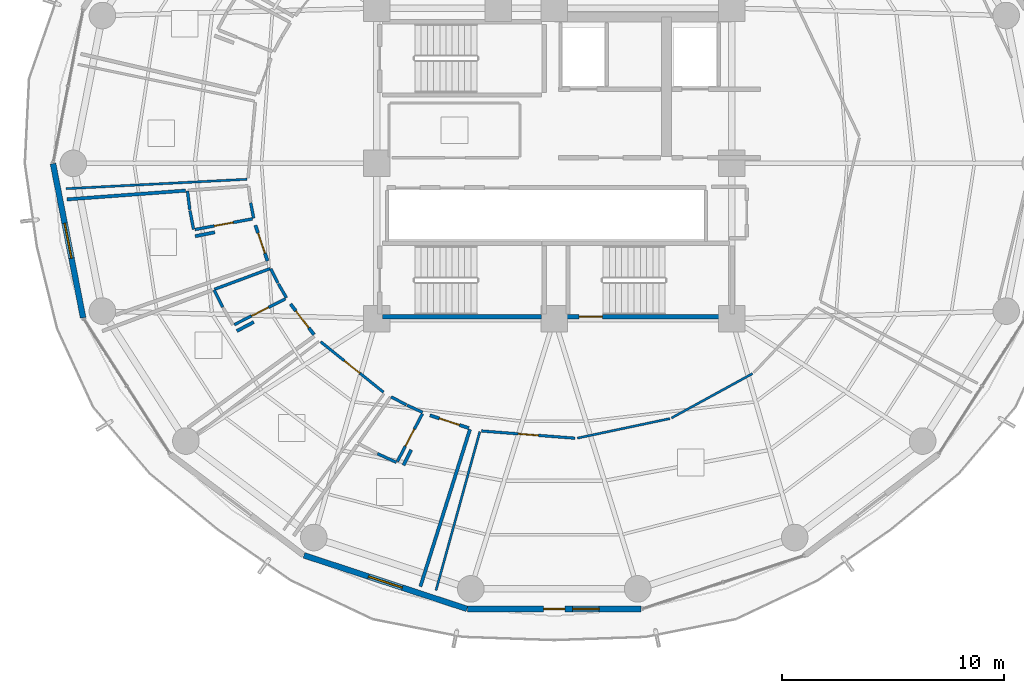
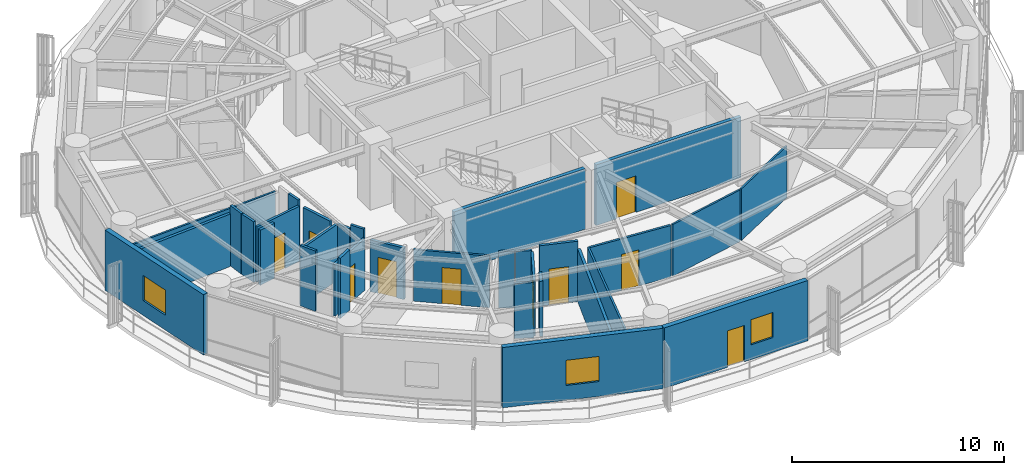
# One storey, part 21 of 28: 32 walls, 10 doors, 3 windows, 13 openings.
"""IFC4 building model written with IfcOpenShell, lengths in metres."""

from ifc_helpers import new_model, si_unit, direction, frame, frame_2d, origin, place, context, subcontext, project, spatial, rectangle, extrude, material, layer, layer_set, type_object, element, fill, save


model = new_model("IFC4")

# Units and contexts
model_context = context("Model", 3, precision=1e-05, world=origin(), true_north=direction((0.0, 1.0)))
body_context = subcontext(model_context, "Body", "Model", "MODEL_VIEW")
ifc_project = project(units=[si_unit("LENGTHUNIT", "METRE"), si_unit("AREAUNIT", "SQUARE_METRE"), si_unit("VOLUMEUNIT", "CUBIC_METRE"), si_unit("PLANEANGLEUNIT", "RADIAN"), si_unit("MASSUNIT", "GRAM", prefix="KILO")], contexts=[model_context])

# Site, building, storey
site_placement = place(None, origin())
site = spatial("IfcSite", under=ifc_project, at=site_placement, CompositionType="ELEMENT")
building_placement = place(site_placement, origin())
building = spatial("IfcBuilding", under=site, at=building_placement, Name="Kelanora Arch Commons", CompositionType="ELEMENT")
storey_placement = place(building_placement, frame((0.0, 0.0, 139.35009765625)))
storey = spatial("IfcBuildingStorey", under=building, at=storey_placement, Name="L35", CompositionType="ELEMENT", Elevation=139.35009765625)

# Wall, opening, door
ifc_material_1 = material(Name="Autoclaved aerated concrete blockwork with fire plaster", Category="masonry")
ifc_layer_1 = layer(ifc_material_1, 0.14990234375)
ifc_layer_set_1 = layer_set([ifc_layer_1], Name="Autoclaved aerated concrete blockwork with fire plaster")
wall_type_1 = type_object("IfcWallType", Name="W-COMP-150", PredefinedType="PARTITIONING", material=ifc_layer_set_1)
wall_1_placement = place(storey_placement, frame((60.529296875, 55.2060546875, 0.0), z_axis=(0.0, 0.0, 1.0), x_axis=(0.319297944841, -0.947654379202, 0.0)))
wall_1 = element("IfcWall", 1, at=wall_1_placement, inside=storey, type_object=wall_type_1, Name="Cluster Bedroom L35-05 Entry Partition", PredefinedType="PARTITIONING", context=body_context, shape_type="SweptSolid", body=[
    extrude(rectangle(XDim=1.69287109375, YDim=0.14990234375, at=frame_2d((0.846435546875, 0.0))), origin(), (0.0, 0.0, 1.0), 3.23486328125),
])
opening_1_placement = place(wall_1_placement, frame((0.37109375, 0.0, 0.0)))
opening_1 = element("IfcOpeningElement", 2, at=opening_1_placement, cuts=wall_1, Name="Opening D-CLU1", PredefinedType="OPENING", context=body_context, shape_type="SweptSolid", body=[
    extrude(rectangle(XDim=0.949951171875, YDim=2.080078125, at=frame_2d((0.47509765625, 1.0400390625))), frame((0.0, 0.0849609375, 0.0), z_axis=(0.0, -1.0, 0.0), x_axis=(1.0, 0.0, 0.0)), (0.0, 0.0, 1.0), 0.169921875),
])
ifc_material_2 = material(Name="Solid-core acoustic timber cluster entry fire door", Category="wood")
door_type_1 = type_object("IfcDoorType", Name="D-CLU-95", OperationType="NOTDEFINED", PredefinedType="DOOR", material=ifc_material_2)
door_1_placement = place(opening_1_placement, origin())
door_1 = element("IfcDoor", 3, at=door_1_placement, inside=storey, type_object=door_type_1, Name="Cluster Bedroom L35-05 Door", OperationType="SINGLE_SWING_LEFT", OverallHeight=2.080078125, OverallWidth=0.949951171875, PredefinedType="DOOR", context=body_context, shape_type="SweptSolid", body=[
    extrude(rectangle(XDim=0.949951171875, YDim=2.080078125, at=frame_2d((0.47509765625, 1.0400390625))), frame((0.0, 0.02490234375, 0.0), z_axis=(0.0, -1.0, 0.0), x_axis=(1.0, 0.0, 0.0)), (0.0, 0.0, 1.0), 0.050048828125),
])
fill(opening_1, door_1)

wall_2_placement = place(storey_placement, frame((62.110595703125, 51.658447265625, 0.0), z_axis=(0.0, 0.0, 1.0), x_axis=(0.608307977949, -0.793701079729, 0.0)))
wall_2 = element("IfcWall", 4, at=wall_2_placement, inside=storey, type_object=wall_type_1, Name="Cluster Bedroom L35-06 Entry Partition", PredefinedType="PARTITIONING", context=body_context, shape_type="SweptSolid", body=[
    extrude(rectangle(XDim=1.7421875, YDim=0.14990234375, at=frame_2d((0.87109375, 0.0))), origin(), (0.0, 0.0, 1.0), 2.974853515625),
])
opening_2_placement = place(wall_2_placement, frame((0.39599609375, 0.0, 0.0)))
opening_2 = element("IfcOpeningElement", 5, at=opening_2_placement, cuts=wall_2, Name="Opening D-CLU1", PredefinedType="OPENING", context=body_context, shape_type="SweptSolid", body=[
    extrude(rectangle(XDim=0.949951171875, YDim=2.080078125, at=frame_2d((0.47509765625, 1.0400390625))), frame((0.0, 0.0849609375, 0.0), z_axis=(0.0, -1.0, 0.0), x_axis=(1.0, 0.0, 0.0)), (0.0, 0.0, 1.0), 0.169921875),
])
door_2_placement = place(opening_2_placement, origin())
door_2 = element("IfcDoor", 6, at=door_2_placement, inside=storey, type_object=door_type_1, Name="Cluster Bedroom L35-06 Door", OperationType="SINGLE_SWING_LEFT", OverallHeight=2.080078125, OverallWidth=0.949951171875, PredefinedType="DOOR", context=body_context, shape_type="SweptSolid", body=[
    extrude(rectangle(XDim=0.949951171875, YDim=2.080078125, at=frame_2d((0.47509765625, 1.0400390625))), frame((0.0, 0.02490234375, 0.0), z_axis=(0.0, -1.0, 0.0), x_axis=(1.0, 0.0, 0.0)), (0.0, 0.0, 1.0), 0.050048828125),
])
fill(opening_2, door_2)

wall_3_placement = place(storey_placement, frame((68.39306640625, 46.641357421875, 0.0), z_axis=(0.0, 0.0, 1.0), x_axis=(0.950343295829, -0.311203502668, 0.0)))
wall_3 = element("IfcWall", 7, at=wall_3_placement, inside=storey, type_object=wall_type_1, Name="Cluster Bedroom L35-08 Entry Partition", PredefinedType="PARTITIONING", context=body_context, shape_type="SweptSolid", body=[
    extrude(rectangle(XDim=1.85302734375, YDim=0.14990234375, at=frame_2d((0.926513671875, 0.0))), origin(), (0.0, 0.0, 1.0), 3.47998046875),
])
opening_3_placement = place(wall_3_placement, frame((0.450927734375, 0.0, 0.0)))
opening_3 = element("IfcOpeningElement", 8, at=opening_3_placement, cuts=wall_3, Name="Opening D-CLU1", PredefinedType="OPENING", context=body_context, shape_type="SweptSolid", body=[
    extrude(rectangle(XDim=0.949951171875, YDim=2.080078125, at=frame_2d((0.47509765625, 1.0400390625))), frame((0.0, 0.0849609375, 0.0), z_axis=(0.0, -1.0, 0.0), x_axis=(1.0, 0.0, 0.0)), (0.0, 0.0, 1.0), 0.169921875),
])
door_3_placement = place(opening_3_placement, origin())
door_3 = element("IfcDoor", 9, at=door_3_placement, inside=storey, type_object=door_type_1, Name="Cluster Bedroom L35-08 Door", OperationType="SINGLE_SWING_RIGHT", OverallHeight=2.080078125, OverallWidth=0.949951171875, PredefinedType="DOOR", context=body_context, shape_type="SweptSolid", body=[
    extrude(rectangle(XDim=0.949951171875, YDim=2.080078125, at=frame_2d((0.47509765625, 1.0400390625))), frame((0.0, 0.02490234375, 0.0), z_axis=(0.0, -1.0, 0.0), x_axis=(1.0, 0.0, 0.0)), (0.0, 0.0, 1.0), 0.050048828125),
])
fill(opening_3, door_3)

# Walls
wall_4_placement = place(storey_placement, frame((52.033935546875, 56.3740234375, 0.0), z_axis=(0.0, 0.0, 1.0), x_axis=(0.997255565749, 0.074036049215, 0.0)))
element("IfcWall", 10, at=wall_4_placement, inside=storey, type_object=wall_type_1, Name="Cluster Bedroom L35-05 Enclosure Partition 5", PredefinedType="PARTITIONING", context=body_context, shape_type="SweptSolid", body=[
    extrude(rectangle(XDim=5.36181640625, YDim=0.14990234375, at=frame_2d((2.680908203125, 0.0))), origin(), (0.0, 0.0, 1.0), 3.02490234375),
])
wall_5_placement = place(storey_placement, frame((57.812255859375, 54.712890625, 0.0), z_axis=(0.0, 0.0, 1.0), x_axis=(0.979802976843, 0.199965313418, 0.0)))
element("IfcWall", 11, at=wall_5_placement, inside=storey, type_object=wall_type_1, Name="Cluster Bedroom L35-05 Enclosure Partition 7", PredefinedType="PARTITIONING", context=body_context, shape_type="SweptSolid", body=[
    extrude(rectangle(XDim=0.90234375, YDim=0.14990234375, at=frame_2d((0.451171875, 0.0))), origin(), (0.0, 0.0, 1.0), 3.1748046875),
])
wall_6_placement = place(storey_placement, frame((59.690185546875, 50.441650390625, 0.0), z_axis=(0.0, 0.0, 1.0), x_axis=(0.883456769574, 0.468512685308, 0.0)))
element("IfcWall", 12, at=wall_6_placement, inside=storey, type_object=wall_type_1, Name="Cluster Bedroom L35-06 Enclosure Partition 7", PredefinedType="PARTITIONING", context=body_context, shape_type="SweptSolid", body=[
    extrude(rectangle(XDim=0.861328125, YDim=0.14990234375, at=frame_2d((0.4306640625, 0.0))), origin(), (0.0, 0.0, 1.0), 3.47998046875),
])
wall_7_placement = place(storey_placement, frame((70.198974609375, 46.0078125, 0.0), z_axis=(0.0, 0.0, 1.0), x_axis=(-0.300834252316, -0.953676440222, 0.0)))
element("IfcWall", 13, at=wall_7_placement, inside=storey, type_object=wall_type_1, Name="Cluster Bedroom L35-08 Enclosure Partition 2", PredefinedType="PARTITIONING", context=body_context, shape_type="SweptSolid", body=[
    extrude(rectangle(XDim=7.432861328125, YDim=0.14990234375, at=frame_2d((3.71630859375, 0.0))), origin(), (0.0, 0.0, 1.0), 3.02490234375),
])
wall_8_placement = place(storey_placement, frame((67.204833984375, 44.3857421875, 0.0), z_axis=(0.0, 0.0, 1.0), x_axis=(0.445215718224, 0.89542334359, 0.0)))
element("IfcWall", 14, at=wall_8_placement, inside=storey, type_object=wall_type_1, Name="Cluster Bedroom L35-08 Enclosure Partition 7", PredefinedType="PARTITIONING", context=body_context, shape_type="SweptSolid", body=[
    extrude(rectangle(XDim=0.782470703125, YDim=0.14990234375, at=frame_2d((0.39111328125, 0.0))), origin(), (0.0, 0.0, 1.0), 3.1748046875),
])

# Wall, opening, window
ifc_material_3 = material(Name="Precast concrete C40/50 with terracotta rainscreen", Category="masonry")
ifc_layer_2 = layer(ifc_material_3, 0.260009765625)
ifc_layer_set_2 = layer_set([ifc_layer_2], Name="Precast concrete C40/50 with terracotta rainscreen")
wall_type_2 = type_object("IfcWallType", Name="W-EXT-TC", PredefinedType="SOLIDWALL", material=ifc_layer_set_2)
wall_9_placement = place(storey_placement, frame((51.40283203125, 57.9853515625, 0.0), z_axis=(0.0, 0.0, 1.0), x_axis=(0.191716984769, -0.981450252306, 0.0)))
wall_9 = element("IfcWall", 15, at=wall_9_placement, inside=storey, type_object=wall_type_2, Name="Terracotta Exterior Wall L35-B09", PredefinedType="SOLIDWALL", context=body_context, shape_type="SweptSolid", body=[
    extrude(rectangle(XDim=7.0791015625, YDim=0.260009765625, at=frame_2d((3.53955078125, 0.0))), origin(), (0.0, 0.0, 1.0), 3.474853515625),
])
opening_4_placement = place(wall_9_placement, frame((2.739990234375, 0.0, 0.85009765625)))
opening_4 = element("IfcOpeningElement", 16, at=opening_4_placement, cuts=wall_9, Name="Opening WN-01", PredefinedType="OPENING", context=body_context, shape_type="SweptSolid", body=[
    extrude(rectangle(XDim=1.60009765625, YDim=1.449951171875, at=frame_2d((0.800048828125, 0.72509765625))), frame((0.0, 0.14013671875, 0.0), z_axis=(0.0, -1.0, 0.0), x_axis=(1.0, 0.0, 0.0)), (0.0, 0.0, 1.0), 0.280029296875),
])
ifc_material_4 = material(Name="Terracotta-anodised aluminium frame with operable low-E glazing", Category="masonry")
window_type_1 = type_object("IfcWindowType", Name="WIN-CL-18", PartitioningType="DOUBLE_PANEL_VERTICAL", PredefinedType="WINDOW", material=ifc_material_4)
window_1_placement = place(opening_4_placement, origin())
window_1 = element("IfcWindow", 17, at=window_1_placement, inside=storey, type_object=window_type_1, Name="Co-Living Operable Window L35-B09", OverallHeight=1.449951171875, OverallWidth=1.60009765625, PartitioningType="SINGLE_PANEL", PredefinedType="WINDOW", context=body_context, shape_type="SweptSolid", body=[
    extrude(rectangle(XDim=1.60009765625, YDim=1.449951171875, at=frame_2d((0.800048828125, 0.72509765625))), frame((0.0, 0.030029296875, 0.0), z_axis=(0.0, -1.0, 0.0), x_axis=(1.0, 0.0, 0.0)), (0.0, 0.0, 1.0), 0.06005859375),
])
fill(opening_4, window_1)

wall_10_placement = place(storey_placement, frame((62.71435546875, 40.328369140625, 0.0), z_axis=(0.0, 0.0, 1.0), x_axis=(0.950038302428, -0.312133343173, 0.0)))
wall_10 = element("IfcWall", 18, at=wall_10_placement, inside=storey, type_object=wall_type_2, Name="Terracotta Exterior Wall L35-B12", PredefinedType="SOLIDWALL", context=body_context, shape_type="SweptSolid", body=[
    extrude(rectangle(XDim=7.7333984375, YDim=0.260009765625, at=frame_2d((3.86669921875, 0.0))), origin(), (0.0, 0.0, 1.0), 3.474853515625),
])
opening_5_placement = place(wall_10_placement, frame((3.06689453125, 0.0, 0.85009765625)))
opening_5 = element("IfcOpeningElement", 19, at=opening_5_placement, cuts=wall_10, Name="Opening WN-01", PredefinedType="OPENING", context=body_context, shape_type="SweptSolid", body=[
    extrude(rectangle(XDim=1.60009765625, YDim=1.449951171875, at=frame_2d((0.800048828125, 0.72509765625))), frame((0.0, 0.14013671875, 0.0), z_axis=(0.0, -1.0, 0.0), x_axis=(1.0, 0.0, 0.0)), (0.0, 0.0, 1.0), 0.280029296875),
])
window_2_placement = place(opening_5_placement, origin())
window_2 = element("IfcWindow", 20, at=window_2_placement, inside=storey, type_object=window_type_1, Name="Co-Living Operable Window L35-B12", OverallHeight=1.449951171875, OverallWidth=1.60009765625, PartitioningType="SINGLE_PANEL", PredefinedType="WINDOW", context=body_context, shape_type="SweptSolid", body=[
    extrude(rectangle(XDim=1.60009765625, YDim=1.449951171875, at=frame_2d((0.800048828125, 0.72509765625))), frame((0.0, 0.030029296875, 0.0), z_axis=(0.0, -1.0, 0.0), x_axis=(1.0, 0.0, 0.0)), (0.0, 0.0, 1.0), 0.06005859375),
])
fill(opening_5, window_2)

# Wall, openings, door, window
wall_11_placement = place(storey_placement, frame((70.090576171875, 37.909912109375, 0.0), z_axis=(0.0, 0.0, 1.0), x_axis=(1.0, 0.0, 0.0)))
wall_11 = element("IfcWall", 21, at=wall_11_placement, inside=storey, type_object=wall_type_2, Name="Terracotta Exterior Wall L35-B13", PredefinedType="SOLIDWALL", context=body_context, shape_type="SweptSolid", body=[
    extrude(rectangle(XDim=7.81884765625, YDim=0.260009765625, at=frame_2d((3.909423828125, 0.0))), origin(), (0.0, 0.0, 1.0), 3.474853515625),
])
opening_6_placement = place(wall_11_placement, frame((3.43408203125, 0.0, 0.0)))
opening_6 = element("IfcOpeningElement", 22, at=opening_6_placement, cuts=wall_11, Name="Opening DB-01", PredefinedType="OPENING", context=body_context, shape_type="SweptSolid", body=[
    extrude(rectangle(XDim=0.949951171875, YDim=2.10009765625, at=frame_2d((0.47509765625, 1.050048828125))), frame((0.0, 0.14013671875, 0.0), z_axis=(0.0, -1.0, 0.0), x_axis=(1.0, 0.0, 0.0)), (0.0, 0.0, 1.0), 0.280029296875),
])
opening_7_placement = place(wall_11_placement, frame((4.73388671875, 0.0, 0.85009765625)))
opening_7 = element("IfcOpeningElement", 23, at=opening_7_placement, cuts=wall_11, Name="Opening WN-02", PredefinedType="OPENING", context=body_context, shape_type="SweptSolid", body=[
    extrude(rectangle(XDim=1.199951171875, YDim=1.449951171875, at=frame_2d((0.60009765625, 0.72509765625))), frame((0.0, 0.14013671875, 0.0), z_axis=(0.0, -1.0, 0.0), x_axis=(1.0, 0.0, 0.0)), (0.0, 0.0, 1.0), 0.280029296875),
])
ifc_material_5 = material(Name="Terracotta-aluminium thermally broken glazed balcony door", Category="masonry")
door_type_2 = type_object("IfcDoorType", Name="D-BAL-10", OperationType="NOTDEFINED", PredefinedType="DOOR", material=ifc_material_5)
door_4_placement = place(opening_6_placement, frame((0.949951171875, 0.0, 0.0), z_axis=(0.0, 0.0, 1.0), x_axis=(-1.0, 0.0, 0.0)))
door_4 = element("IfcDoor", 24, at=door_4_placement, inside=storey, type_object=door_type_2, Name="Wave Balcony Door L35-B13", OperationType="SINGLE_SWING_LEFT", OverallHeight=2.10009765625, OverallWidth=0.949951171875, PredefinedType="DOOR", context=body_context, shape_type="SweptSolid", body=[
    extrude(rectangle(XDim=0.949951171875, YDim=2.10009765625, at=frame_2d((0.47509765625, 1.050048828125))), frame((0.0, 0.02490234375, 0.0), z_axis=(0.0, -1.0, 0.0), x_axis=(1.0, 0.0, 0.0)), (0.0, 0.0, 1.0), 0.050048828125),
])
fill(opening_6, door_4)
ifc_material_6 = material(Name="Terracotta-anodised aluminium frame with operable awning sash", Category="masonry")
window_type_2 = type_object("IfcWindowType", Name="WIN-CL-12", PartitioningType="SINGLE_PANEL", PredefinedType="WINDOW", material=ifc_material_6)
window_3_placement = place(opening_7_placement, origin())
window_3 = element("IfcWindow", 25, at=window_3_placement, inside=storey, type_object=window_type_2, Name="Co-Living Operable Window L35-B13", OverallHeight=1.449951171875, OverallWidth=1.199951171875, PartitioningType="SINGLE_PANEL", PredefinedType="WINDOW", context=body_context, shape_type="SweptSolid", body=[
    extrude(rectangle(XDim=1.199951171875, YDim=1.449951171875, at=frame_2d((0.60009765625, 0.72509765625))), frame((0.0, 0.030029296875, 0.0), z_axis=(0.0, -1.0, 0.0), x_axis=(1.0, 0.0, 0.0)), (0.0, 0.0, 1.0), 0.06005859375),
])
fill(opening_7, window_3)

# Walls
ifc_material_7 = material(Name="Lightweight fire-rated acoustic stud partition")
ifc_layer_3 = layer(ifc_material_7, 0.10009765625)
ifc_layer_set_3 = layer_set([ifc_layer_3], Name="Lightweight fire-rated acoustic stud partition")
wall_type_3 = type_object("IfcWallType", Name="W-PART-100", PredefinedType="PARTITIONING", material=ifc_layer_set_3)
wall_12_placement = place(storey_placement, frame((75.0400390625, 45.611328125, 0.0), z_axis=(0.0, 0.0, 1.0), x_axis=(0.978421930287, 0.206616858785, 0.0)))
element("IfcWall", 26, at=wall_12_placement, inside=storey, type_object=wall_type_3, Name="South-East Social Sky Lounge L35 Enclosure Partition 2", PredefinedType="PARTITIONING", context=body_context, shape_type="SweptSolid", body=[
    extrude(rectangle(XDim=4.260986328125, YDim=0.10009765625, at=frame_2d((2.13037109375, 0.0))), origin(), (0.0, 0.0, 1.0), 2.974853515625),
])
wall_13_placement = place(storey_placement, frame((79.283203125, 46.519287109375, 0.0), z_axis=(0.0, 0.0, 1.0), x_axis=(0.876994001609, 0.480501322726, 0.0)))
element("IfcWall", 27, at=wall_13_placement, inside=storey, type_object=wall_type_3, Name="South-East Social Sky Lounge L35 Enclosure Partition 3", PredefinedType="PARTITIONING", context=body_context, shape_type="SweptSolid", body=[
    extrude(rectangle(XDim=4.16748046875, YDim=0.10009765625, at=frame_2d((2.083740234375, 0.0))), origin(), (0.0, 0.0, 1.0), 2.974853515625),
])
wall_14_placement = place(storey_placement, frame((68.668701171875, 38.74951171875, 0.0), z_axis=(0.0, 0.0, 1.0), x_axis=(0.26617364863, 0.963925095002, 0.0)))
element("IfcWall", 28, at=wall_14_placement, inside=storey, type_object=wall_type_3, Name="South-East Social Sky Lounge L35 Enclosure Partition 10", PredefinedType="PARTITIONING", context=body_context, shape_type="SweptSolid", body=[
    extrude(rectangle(XDim=7.41845703125, YDim=0.10009765625, at=frame_2d((3.709228515625, 0.0))), origin(), (0.0, 0.0, 1.0), 3.02490234375),
])
wall_15_placement = place(storey_placement, frame((60.153076171875, 57.281982421875, 0.0), z_axis=(0.0, 0.0, 1.0), x_axis=(-0.998652620107, -0.051893586821, 0.0)))
element("IfcWall", 29, at=wall_15_placement, inside=storey, type_object=wall_type_3, Name="Shared Cluster Kitchen L35-04 Enclosure Partition 2", PredefinedType="PARTITIONING", context=body_context, shape_type="SweptSolid", body=[
    extrude(rectangle(XDim=8.167236328125, YDim=0.10009765625, at=frame_2d((4.08349609375, 0.0))), origin(), (0.0, 0.0, 1.0), 3.02490234375),
])

# Wall, opening, door
ifc_material_8 = material(Name="Acoustic twin-stud fire-rated gypsum partition")
ifc_layer_4 = layer(ifc_material_8, 0.1201171875)
ifc_layer_set_4 = layer_set([ifc_layer_4], Name="Acoustic twin-stud fire-rated gypsum partition")
wall_type_4 = type_object("IfcWallType", Name="W-PART-120", PredefinedType="PARTITIONING", material=ifc_layer_set_4)
wall_16_placement = place(storey_placement, frame((70.7138671875, 45.934326171875, 0.0), z_axis=(0.0, 0.0, 1.0), x_axis=(0.99702766625, -0.077044355613, 0.0)))
wall_16 = element("IfcWall", 30, at=wall_16_placement, inside=storey, type_object=wall_type_4, Name="South-East Social Sky Lounge L35 Entry Partition", PredefinedType="PARTITIONING", context=body_context, shape_type="SweptSolid", body=[
    extrude(rectangle(XDim=4.239990234375, YDim=0.1201171875, at=frame_2d((2.1201171875, 0.0))), origin(), (0.0, 0.0, 1.0), 2.974853515625),
])
opening_8_placement = place(wall_16_placement, frame((1.669921875, 0.0, 0.0)))
opening_8 = element("IfcOpeningElement", 31, at=opening_8_placement, cuts=wall_16, Name="Opening D-RM1", PredefinedType="OPENING", context=body_context, shape_type="SweptSolid", body=[
    extrude(rectangle(XDim=0.89990234375, YDim=2.080078125, at=frame_2d((0.449951171875, 1.0400390625))), frame((0.0, 0.070068359375, 0.0), z_axis=(0.0, -1.0, 0.0), x_axis=(1.0, 0.0, 0.0)), (0.0, 0.0, 1.0), 0.14013671875),
])
ifc_material_9 = material(Name="Acoustic fire-rated timber study and lounge door", Category="wood")
door_type_3 = type_object("IfcDoorType", Name="D-ROOM-90", OperationType="NOTDEFINED", PredefinedType="DOOR", material=ifc_material_9)
door_5_placement = place(opening_8_placement, origin())
door_5 = element("IfcDoor", 32, at=door_5_placement, inside=storey, type_object=door_type_3, Name="South-East Social Sky Lounge L35 Door", OperationType="SINGLE_SWING_LEFT", OverallHeight=2.080078125, OverallWidth=0.89990234375, PredefinedType="DOOR", context=body_context, shape_type="SweptSolid", body=[
    extrude(rectangle(XDim=0.89990234375, YDim=2.080078125, at=frame_2d((0.449951171875, 1.0400390625))), frame((0.0, 0.02490234375, 0.0), z_axis=(0.0, -1.0, 0.0), x_axis=(1.0, 0.0, 0.0)), (0.0, 0.0, 1.0), 0.050048828125),
])
fill(opening_8, door_5)

wall_17_placement = place(storey_placement, frame((63.4677734375, 49.95654296875, 0.0), z_axis=(0.0, 0.0, 1.0), x_axis=(0.78006790059, -0.625694870099, 0.0)))
wall_17 = element("IfcWall", 33, at=wall_17_placement, inside=storey, type_object=wall_type_4, Name="Social Sky Lounge L35-07 Entry Partition", PredefinedType="PARTITIONING", context=body_context, shape_type="SweptSolid", body=[
    extrude(rectangle(XDim=3.631103515625, YDim=0.1201171875, at=frame_2d((1.8154296875, 0.0))), origin(), (0.0, 0.0, 1.0), 2.974853515625),
])
opening_9_placement = place(wall_17_placement, frame((1.365966796875, 0.0, 0.0)))
opening_9 = element("IfcOpeningElement", 34, at=opening_9_placement, cuts=wall_17, Name="Opening D-RM1", PredefinedType="OPENING", context=body_context, shape_type="SweptSolid", body=[
    extrude(rectangle(XDim=0.89990234375, YDim=2.080078125, at=frame_2d((0.449951171875, 1.0400390625))), frame((0.0, 0.070068359375, 0.0), z_axis=(0.0, -1.0, 0.0), x_axis=(1.0, 0.0, 0.0)), (0.0, 0.0, 1.0), 0.14013671875),
])
door_6_placement = place(opening_9_placement, origin())
door_6 = element("IfcDoor", 35, at=door_6_placement, inside=storey, type_object=door_type_3, Name="Social Sky Lounge L35-07 Door", OperationType="SINGLE_SWING_RIGHT", OverallHeight=2.080078125, OverallWidth=0.89990234375, PredefinedType="DOOR", context=body_context, shape_type="SweptSolid", body=[
    extrude(rectangle(XDim=0.89990234375, YDim=2.080078125, at=frame_2d((0.449951171875, 1.0400390625))), frame((0.0, 0.02490234375, 0.0), z_axis=(0.0, -1.0, 0.0), x_axis=(1.0, 0.0, 0.0)), (0.0, 0.0, 1.0), 0.050048828125),
])
fill(opening_9, door_6)

ifc_material_10 = material(Name="Concrete C40/50", Category="concrete")
ifc_layer_5 = layer(ifc_material_10, 0.199951171875)
ifc_layer_set_5 = layer_set([ifc_layer_5], Name="Concrete C40/50")
wall_type_5 = type_object("IfcWallType", Name="W-STAIR-200", PredefinedType="SHEAR", material=ifc_layer_set_5)
wall_18_placement = place(storey_placement, frame((74.0, 51.080078125, 0.0), z_axis=(0.0, 0.0, 1.0), x_axis=(1.0, 0.0, 0.0)))
wall_18 = element("IfcWall", 36, at=wall_18_placement, inside=storey, type_object=wall_type_5, Name="Stair ST-T2 Shaft Wall S L35", PredefinedType="SHEAR", context=body_context, shape_type="SweptSolid", body=[
    extrude(rectangle(XDim=7.89990234375, YDim=0.199951171875, at=frame_2d((3.949951171875, 0.0))), origin(), (0.0, 0.0, 1.0), 3.489990234375),
])
opening_10_placement = place(wall_18_placement, frame((1.1201171875, 0.0, 0.0)))
opening_10 = element("IfcOpeningElement", 37, at=opening_10_placement, cuts=wall_18, Name="Opening D-ST1", PredefinedType="OPENING", context=body_context, shape_type="SweptSolid", body=[
    extrude(rectangle(XDim=1.050048828125, YDim=2.10009765625, at=frame_2d((0.52490234375, 1.050048828125))), frame((0.0, 0.10986328125, 0.0), z_axis=(0.0, -1.0, 0.0), x_axis=(1.0, 0.0, 0.0)), (0.0, 0.0, 1.0), 0.219970703125),
])
ifc_material_11 = material(Name="Steel fire-rated stairwell escape door", Category="steel")
door_type_4 = type_object("IfcDoorType", Name="D-STAIR-110", OperationType="NOTDEFINED", PredefinedType="DOOR", material=ifc_material_11)
door_7_placement = place(opening_10_placement, origin())
door_7 = element("IfcDoor", 38, at=door_7_placement, inside=storey, type_object=door_type_4, Name="Stair ST-T2 Escape Door L35", OperationType="SINGLE_SWING_LEFT", OverallHeight=2.10009765625, OverallWidth=1.050048828125, PredefinedType="DOOR", context=body_context, shape_type="SweptSolid", body=[
    extrude(rectangle(XDim=1.050048828125, YDim=2.10009765625, at=frame_2d((0.52490234375, 1.050048828125))), frame((0.0, 0.02490234375, 0.0), z_axis=(0.0, -1.0, 0.0), x_axis=(1.0, 0.0, 0.0)), (0.0, 0.0, 1.0), 0.050048828125),
])
fill(opening_10, door_7)

# Wall
wall_19_placement = place(storey_placement, frame((66.260009765625, 51.080078125, 0.0), z_axis=(0.0, 0.0, 1.0), x_axis=(1.0, 0.0, 0.0)))
element("IfcWall", 39, at=wall_19_placement, inside=storey, type_object=wall_type_5, Name="Stair ST-T3 Shaft Wall S L35", PredefinedType="SHEAR", context=body_context, shape_type="SweptSolid", body=[
    extrude(rectangle(XDim=7.159912109375, YDim=0.199951171875, at=frame_2d((3.580078125, 0.0))), origin(), (0.0, 0.0, 1.0), 3.489990234375),
])

# Wall, opening, door
ifc_material_12 = material(Name="Moisture-resistant fire-rated cement-board plumbing wall")
ifc_layer_6 = layer(ifc_material_12, 0.1298828125)
ifc_layer_set_6 = layer_set([ifc_layer_6], Name="Moisture-resistant fire-rated cement-board plumbing wall")
wall_type_6 = type_object("IfcWallType", Name="W-WET-120", PredefinedType="PLUMBINGWALL", material=ifc_layer_set_6)
wall_20_placement = place(storey_placement, frame((60.39208984375, 55.49609375, 0.0), z_axis=(0.0, 0.0, 1.0), x_axis=(-0.983321304086, -0.181876916981, 0.0)))
wall_20 = element("IfcWall", 40, at=wall_20_placement, inside=storey, type_object=wall_type_6, Name="En-Suite Shower WC L35-05 Entry Partition", PredefinedType="PLUMBINGWALL", context=body_context, shape_type="SweptSolid", body=[
    extrude(rectangle(XDim=2.635009765625, YDim=0.1298828125, at=frame_2d((1.3173828125, 0.0))), origin(), (0.0, 0.0, 1.0), 3.1748046875),
])
opening_11_placement = place(wall_20_placement, frame((0.886962890625, 0.0, 0.0)))
opening_11 = element("IfcOpeningElement", 41, at=opening_11_placement, cuts=wall_20, Name="Opening D-BT1", PredefinedType="OPENING", context=body_context, shape_type="SweptSolid", body=[
    extrude(rectangle(XDim=0.860107421875, YDim=2.050048828125, at=frame_2d((0.43017578125, 1.02490234375))), frame((0.0, 0.074951171875, 0.0), z_axis=(0.0, -1.0, 0.0), x_axis=(1.0, 0.0, 0.0)), (0.0, 0.0, 1.0), 0.14990234375),
])
ifc_material_13 = material(Name="Moisture-sealed fire-rated accessible bathroom door")
door_type_5 = type_object("IfcDoorType", Name="D-BATH-85", OperationType="NOTDEFINED", PredefinedType="DOOR", material=ifc_material_13)
door_8_placement = place(opening_11_placement, origin())
door_8 = element("IfcDoor", 42, at=door_8_placement, inside=storey, type_object=door_type_5, Name="En-Suite Shower WC L35-05 Door", OperationType="SINGLE_SWING_RIGHT", OverallHeight=2.050048828125, OverallWidth=0.860107421875, PredefinedType="DOOR", context=body_context, shape_type="SweptSolid", body=[
    extrude(rectangle(XDim=0.860107421875, YDim=2.050048828125, at=frame_2d((0.43017578125, 1.02490234375))), frame((0.0, 0.02490234375, 0.0), z_axis=(0.0, -1.0, 0.0), x_axis=(1.0, 0.0, 0.0)), (0.0, 0.0, 1.0), 0.050048828125),
])
fill(opening_11, door_8)

wall_21_placement = place(storey_placement, frame((61.882568359375, 51.89501953125, 0.0), z_axis=(0.0, 0.0, 1.0), x_axis=(-0.892490597906, -0.451065995891, 0.0)))
wall_21 = element("IfcWall", 43, at=wall_21_placement, inside=storey, type_object=wall_type_6, Name="En-Suite Shower WC L35-06 Entry Partition", PredefinedType="PLUMBINGWALL", context=body_context, shape_type="SweptSolid", body=[
    extrude(rectangle(XDim=2.582763671875, YDim=0.1298828125, at=frame_2d((1.29150390625, 0.0))), origin(), (0.0, 0.0, 1.0), 2.974853515625),
])
opening_12_placement = place(wall_21_placement, frame((0.861083984375, 0.0, 0.0)))
opening_12 = element("IfcOpeningElement", 44, at=opening_12_placement, cuts=wall_21, Name="Opening D-BT1", PredefinedType="OPENING", context=body_context, shape_type="SweptSolid", body=[
    extrude(rectangle(XDim=0.860107421875, YDim=2.050048828125, at=frame_2d((0.43017578125, 1.02490234375))), frame((0.0, 0.074951171875, 0.0), z_axis=(0.0, -1.0, 0.0), x_axis=(1.0, 0.0, 0.0)), (0.0, 0.0, 1.0), 0.14990234375),
])
door_9_placement = place(opening_12_placement, origin())
door_9 = element("IfcDoor", 45, at=door_9_placement, inside=storey, type_object=door_type_5, Name="En-Suite Shower WC L35-06 Door", OperationType="SINGLE_SWING_RIGHT", OverallHeight=2.050048828125, OverallWidth=0.860107421875, PredefinedType="DOOR", context=body_context, shape_type="SweptSolid", body=[
    extrude(rectangle(XDim=0.860107421875, YDim=2.050048828125, at=frame_2d((0.43017578125, 1.02490234375))), frame((0.0, 0.02490234375, 0.0), z_axis=(0.0, -1.0, 0.0), x_axis=(1.0, 0.0, 0.0)), (0.0, 0.0, 1.0), 0.050048828125),
])
fill(opening_12, door_9)

wall_22_placement = place(storey_placement, frame((68.05615234375, 46.7119140625, 0.0), z_axis=(0.0, 0.0, 1.0), x_axis=(-0.464721454244, -0.885456927222, 0.0)))
wall_22 = element("IfcWall", 46, at=wall_22_placement, inside=storey, type_object=wall_type_6, Name="En-Suite Shower WC L35-08 Entry Partition", PredefinedType="PLUMBINGWALL", context=body_context, shape_type="SweptSolid", body=[
    extrude(rectangle(XDim=2.425537109375, YDim=0.1298828125, at=frame_2d((1.212890625, 0.0))), origin(), (0.0, 0.0, 1.0), 3.1748046875),
])
opening_13_placement = place(wall_22_placement, frame((0.782958984375, 0.0, 0.0)))
opening_13 = element("IfcOpeningElement", 47, at=opening_13_placement, cuts=wall_22, Name="Opening D-BT1", PredefinedType="OPENING", context=body_context, shape_type="SweptSolid", body=[
    extrude(rectangle(XDim=0.860107421875, YDim=2.050048828125, at=frame_2d((0.43017578125, 1.02490234375))), frame((0.0, 0.074951171875, 0.0), z_axis=(0.0, -1.0, 0.0), x_axis=(1.0, 0.0, 0.0)), (0.0, 0.0, 1.0), 0.14990234375),
])
door_10_placement = place(opening_13_placement, origin())
door_10 = element("IfcDoor", 48, at=door_10_placement, inside=storey, type_object=door_type_5, Name="En-Suite Shower WC L35-08 Door", OperationType="SINGLE_SWING_LEFT", OverallHeight=2.050048828125, OverallWidth=0.860107421875, PredefinedType="DOOR", context=body_context, shape_type="SweptSolid", body=[
    extrude(rectangle(XDim=0.860107421875, YDim=2.050048828125, at=frame_2d((0.43017578125, 1.02490234375))), frame((0.0, 0.02490234375, 0.0), z_axis=(0.0, -1.0, 0.0), x_axis=(1.0, 0.0, 0.0)), (0.0, 0.0, 1.0), 0.050048828125),
])
fill(opening_13, door_10)

# Walls
wall_23_placement = place(storey_placement, frame((60.312744140625, 56.221435546875, 0.0), z_axis=(0.0, 0.0, 1.0), x_axis=(0.190075536698, -0.981769469045, 0.0)))
element("IfcWall", 49, at=wall_23_placement, inside=storey, type_object=wall_type_6, Name="En-Suite Shower WC L35-05 Enclosure Partition 2", PredefinedType="PLUMBINGWALL", context=body_context, shape_type="SweptSolid", body=[
    extrude(rectangle(XDim=0.707763671875, YDim=0.1298828125, at=frame_2d((0.35400390625, 0.0))), origin(), (0.0, 0.0, 1.0), 3.47998046875),
])
wall_24_placement = place(storey_placement, frame((57.73828125, 55.025634765625, 0.0), z_axis=(0.0, 0.0, 1.0), x_axis=(-0.189438154161, 0.981892654901, 0.0)))
element("IfcWall", 50, at=wall_24_placement, inside=storey, type_object=wall_type_6, Name="En-Suite Shower WC L35-05 Enclosure Partition 4", PredefinedType="PLUMBINGWALL", context=body_context, shape_type="SweptSolid", body=[
    extrude(rectangle(XDim=0.8583984375, YDim=0.1298828125, at=frame_2d((0.42919921875, 0.0))), origin(), (0.0, 0.0, 1.0), 3.47998046875),
])
wall_25_placement = place(storey_placement, frame((57.569580078125, 55.90771484375, 0.0), z_axis=(0.0, 0.0, 1.0), x_axis=(-0.124069838268, 0.992273488123, 0.0)))
element("IfcWall", 51, at=wall_25_placement, inside=storey, type_object=wall_type_6, Name="En-Suite Shower WC L35-05 Enclosure Partition 5", PredefinedType="PLUMBINGWALL", context=body_context, shape_type="SweptSolid", body=[
    extrude(rectangle(XDim=0.85595703125, YDim=0.1298828125, at=frame_2d((0.427978515625, 0.0))), origin(), (0.0, 0.0, 1.0), 3.47998046875),
])
wall_26_placement = place(storey_placement, frame((61.222900390625, 53.2451171875, 0.0), z_axis=(0.0, 0.0, 1.0), x_axis=(0.445176568549, -0.895442808232, 0.0)))
element("IfcWall", 52, at=wall_26_placement, inside=storey, type_object=wall_type_6, Name="En-Suite Shower WC L35-06 Enclosure Partition 1", PredefinedType="PLUMBINGWALL", context=body_context, shape_type="SweptSolid", body=[
    extrude(rectangle(XDim=0.719482421875, YDim=0.1298828125, at=frame_2d((0.35986328125, 0.0))), origin(), (0.0, 0.0, 1.0), 3.23486328125),
])
wall_27_placement = place(storey_placement, frame((61.56201171875, 52.565673828125, 0.0), z_axis=(0.0, 0.0, 1.0), x_axis=(0.502403748171, -0.864633144069, 0.0)))
element("IfcWall", 53, at=wall_27_placement, inside=storey, type_object=wall_type_6, Name="En-Suite Shower WC L35-06 Enclosure Partition 2", PredefinedType="PLUMBINGWALL", context=body_context, shape_type="SweptSolid", body=[
    extrude(rectangle(XDim=0.724609375, YDim=0.1298828125, at=frame_2d((0.3623046875, 0.0))), origin(), (0.0, 0.0, 1.0), 3.47998046875),
])
wall_28_placement = place(storey_placement, frame((59.05517578125, 51.514892578125, 0.0), z_axis=(0.0, 0.0, 1.0), x_axis=(-0.446317376376, 0.894874739584, 0.0)))
element("IfcWall", 54, at=wall_28_placement, inside=storey, type_object=wall_type_6, Name="En-Suite Shower WC L35-06 Enclosure Partition 5", PredefinedType="PLUMBINGWALL", context=body_context, shape_type="SweptSolid", body=[
    extrude(rectangle(XDim=0.871826171875, YDim=0.1298828125, at=frame_2d((0.43603515625, 0.0))), origin(), (0.0, 0.0, 1.0), 3.47998046875),
])
wall_29_placement = place(storey_placement, frame((58.67578125, 52.320068359375, 0.0), z_axis=(0.0, 0.0, 1.0), x_axis=(0.937399857035, 0.348254946887, 0.0)))
element("IfcWall", 55, at=wall_29_placement, inside=storey, type_object=wall_type_6, Name="En-Suite Shower WC L35-06 Enclosure Partition 6", PredefinedType="PLUMBINGWALL", context=body_context, shape_type="SweptSolid", body=[
    extrude(rectangle(XDim=2.687744140625, YDim=0.1298828125, at=frame_2d((1.34375, 0.0))), origin(), (0.0, 0.0, 1.0), 3.23486328125),
])
wall_30_placement = place(storey_placement, frame((66.647705078125, 47.47265625, 0.0), z_axis=(0.0, 0.0, 1.0), x_axis=(0.884034960309, -0.467420783611, 0.0)))
element("IfcWall", 56, at=wall_30_placement, inside=storey, type_object=wall_type_6, Name="En-Suite Shower WC L35-08 Enclosure Partition 1", PredefinedType="PLUMBINGWALL", context=body_context, shape_type="SweptSolid", body=[
    extrude(rectangle(XDim=0.768798828125, YDim=0.1298828125, at=frame_2d((0.38427734375, 0.0))), origin(), (0.0, 0.0, 1.0), 3.23486328125),
])
wall_31_placement = place(storey_placement, frame((67.36328125, 47.095703125, 0.0), z_axis=(0.0, 0.0, 1.0), x_axis=(0.908835433781, -0.417154832531, 0.0)))
element("IfcWall", 57, at=wall_31_placement, inside=storey, type_object=wall_type_6, Name="En-Suite Shower WC L35-08 Enclosure Partition 2", PredefinedType="PLUMBINGWALL", context=body_context, shape_type="SweptSolid", body=[
    extrude(rectangle(XDim=0.773193359375, YDim=0.1298828125, at=frame_2d((0.38671875, 0.0))), origin(), (0.0, 0.0, 1.0), 3.23486328125),
])
wall_32_placement = place(storey_placement, frame((66.8828125, 44.519287109375, 0.0), z_axis=(0.0, 0.0, 1.0), x_axis=(-0.90885062215, 0.417121740763, 0.0)))
element("IfcWall", 58, at=wall_32_placement, inside=storey, type_object=wall_type_6, Name="En-Suite Shower WC L35-08 Enclosure Partition 4", PredefinedType="PLUMBINGWALL", context=body_context, shape_type="SweptSolid", body=[
    extrude(rectangle(XDim=0.935791015625, YDim=0.1298828125, at=frame_2d((0.4677734375, 0.0))), origin(), (0.0, 0.0, 1.0), 3.1748046875),
])

save(model, "model.ifc")
